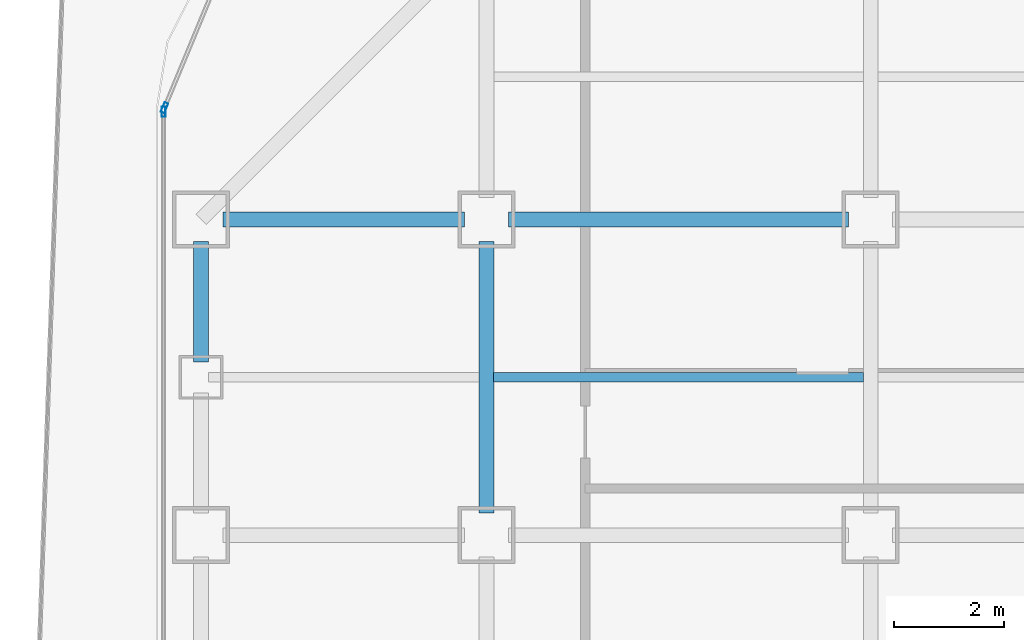
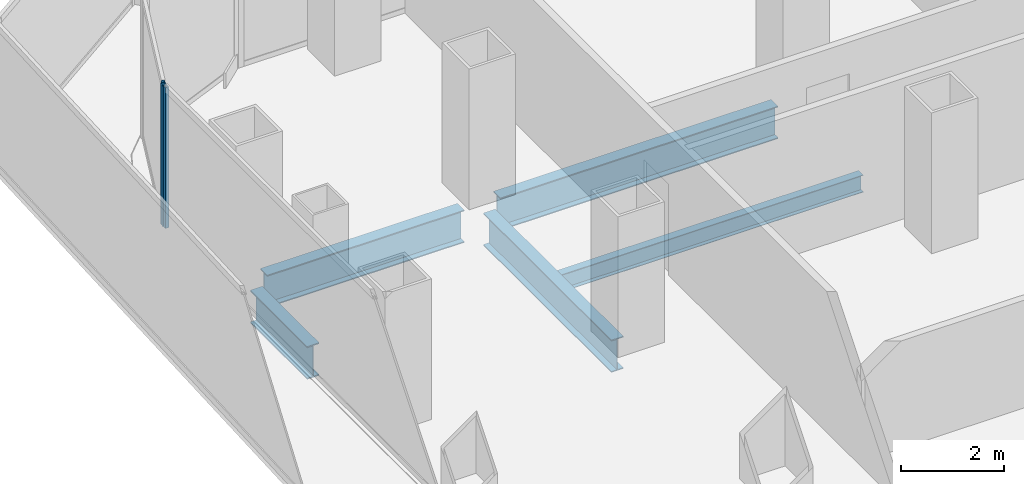
# One storey, part 10 of 22: 5 beams, 2 members, 2 elements without a shape of their own.
"""IFC4 building model written with IfcOpenShell, lengths in metres."""

import ifcopenshell
import ifcopenshell.guid

model = None  # the IFC model being written
_history = None  # IfcOwnerHistory: only IFC2X3 demands one
_inside = {}  # id of a spatial element -> (the spatial element, [elements in it])
_under = {}  # id of a project, library or spatial element -> (it, [spatial elements below it])
_declared = {}  # id of a project -> (the project, [libraries it declares])
_typed = {}  # id of a type object -> (the type object, [elements of that type])
_made_of = {}  # id of a material, layer set ... -> (it, [elements and type objects made of it])


def new_model(schema):
    """Start an empty IFC model of exactly this schema.

    Asked for "IFC4X3", IfcOpenShell would pick the latest addendum, in which some entities
    have other attributes; the version numbers below select the first issue.
    IFC2X3 requires an IfcOwnerHistory on every rooted entity: one is made here for all.
    """
    global model, _history
    if schema == "IFC4X3":
        model = ifcopenshell.file(schema_version=(4, 3, 0, 0))
    else:
        model = ifcopenshell.file(schema=schema)
    _inside.clear()
    _under.clear()
    _declared.clear()
    _typed.clear()
    _made_of.clear()
    _history = None
    if model.schema == "IFC2X3":
        org = make("IfcOrganization", Name="unknown")
        user = make(
            "IfcPersonAndOrganization",
            ThePerson=make("IfcPerson", FamilyName="unknown"),
            TheOrganization=org,
        )
        app = make(
            "IfcApplication",
            ApplicationDeveloper=org,
            Version="unknown",
            ApplicationFullName="unknown",
            ApplicationIdentifier="unknown",
        )
        _history = make(
            "IfcOwnerHistory",
            OwningUser=user,
            OwningApplication=app,
            ChangeAction="ADDED",
            CreationDate=0,
        )
    return model


def make(cls, **values):
    """One entity of the class cls with the attributes given. An attribute that is None is left unset."""
    return model.create_entity(
        cls, **{name: value for name, value in values.items() if value is not None}
    )


def rooted(cls, **values):
    """An entity with a GlobalId (a new one), such as an element, a storey or a relation."""
    return make(cls, GlobalId=ifcopenshell.guid.new(), OwnerHistory=_history, **values)


def si_unit(unit_type, name, prefix=None):
    """IfcSIUnit, for example si_unit("LENGTHUNIT", "METRE", prefix="MILLI")."""
    return make("IfcSIUnit", UnitType=unit_type, Prefix=prefix, Name=name)


def assignment(units):
    """IfcUnitAssignment: the units of a project."""
    return None if units is None else make("IfcUnitAssignment", Units=units)


def point(xyz):
    """IfcCartesianPoint."""
    return None if xyz is None else make("IfcCartesianPoint", Coordinates=xyz)


def direction(xyz):
    """IfcDirection."""
    return None if xyz is None else make("IfcDirection", DirectionRatios=xyz)


def frame(location, z_axis=None, x_axis=None):
    """IfcAxis2Placement3D, a coordinate frame: its origin and axes. An axis left out is left unset."""
    return make(
        "IfcAxis2Placement3D",
        Location=point(location),
        Axis=direction(z_axis),
        RefDirection=direction(x_axis),
    )


def frame_2d(location, x_axis=None):
    """IfcAxis2Placement2D, a coordinate frame in the plane: its origin and x axis."""
    return make(
        "IfcAxis2Placement2D", Location=point(location), RefDirection=direction(x_axis)
    )


def origin():
    """The frame at (0, 0, 0) with its axes left unset."""
    return frame((0.0, 0.0, 0.0))


def origin_2d():
    """The frame at (0, 0) in the plane with its x axis left unset."""
    return frame_2d((0.0, 0.0))


def place(relative_to, where):
    """IfcLocalPlacement: puts the frame where relative to a parent placement (None: the world)."""
    return make(
        "IfcLocalPlacement", PlacementRelTo=relative_to, RelativePlacement=where
    )


def context(
    kind, dimensions, precision=None, world=None, true_north=None, identifier=None
):
    """IfcGeometricRepresentationContext, for example the 3D "Model" context."""
    return make(
        "IfcGeometricRepresentationContext",
        ContextIdentifier=identifier,
        ContextType=kind,
        CoordinateSpaceDimension=dimensions,
        Precision=precision,
        WorldCoordinateSystem=world,
        TrueNorth=true_north,
    )


def subcontext(parent, identifier, kind, view, scale=None):
    """IfcGeometricRepresentationSubContext, for example "Body" below "Model"."""
    return make(
        "IfcGeometricRepresentationSubContext",
        ContextIdentifier=identifier,
        ContextType=kind,
        ParentContext=parent,
        TargetScale=scale,
        TargetView=view,
    )


def project(units=None, contexts=None):
    """IfcProject with its units and contexts."""
    return rooted(
        "IfcProject",
        Name="project",
        RepresentationContexts=contexts,
        UnitsInContext=assignment(units),
    )


def spatial(cls, under=None, at=None, **own):
    """A site, building, storey or space (cls), placed at a placement, below another one or the project."""
    s = rooted(cls, ObjectPlacement=at, **own)
    if under is not None:
        _under.setdefault(under.id(), (under, []))[1].append(s)
    return s


def profile(cls, at=None, kind="AREA", **sizes):
    """A parametric profile (cls). Its sizes go by their IFC names, for example OverallWidth=200.0."""
    return make(cls, ProfileType=kind, Position=at, **sizes)


def hollow_rectangle(**sizes):
    """IfcRectangleHollowProfileDef."""
    return profile("IfcRectangleHollowProfileDef", **sizes)


def i_section(**sizes):
    """IfcIShapeProfileDef."""
    return profile("IfcIShapeProfileDef", **sizes)


def extrude(swept, where, along, depth):
    """IfcExtrudedAreaSolid: the profile swept, set in the frame where, extruded along a direction by depth."""
    return make(
        "IfcExtrudedAreaSolid",
        SweptArea=swept,
        Position=where,
        ExtrudedDirection=direction(along),
        Depth=depth,
    )


def shape(context_of_items, identifier, shape_type, items):
    """IfcShapeRepresentation: the items that make up one representation, for example the "Body"."""
    return make(
        "IfcShapeRepresentation",
        ContextOfItems=context_of_items,
        RepresentationIdentifier=identifier,
        RepresentationType=shape_type,
        Items=items,
    )


def source(mapping_origin, context_of_items, identifier, shape_type, items):
    """IfcRepresentationMap: a shape defined once, which mapped items show again and again."""
    return make(
        "IfcRepresentationMap",
        MappingOrigin=mapping_origin,
        MappedRepresentation=shape(context_of_items, identifier, shape_type, items),
    )


def transform(
    local_origin,
    x_axis=None,
    y_axis=None,
    z_axis=None,
    scale=None,
    scale2=None,
    scale3=None,
    uniform=True,
):
    """IfcCartesianTransformationOperator3D, or its non-uniform kind. x_axis, y_axis, z_axis: its Axis1, 2, 3."""
    if uniform:
        return make(
            "IfcCartesianTransformationOperator3D",
            Axis1=direction(x_axis),
            Axis2=direction(y_axis),
            LocalOrigin=point(local_origin),
            Scale=scale,
            Axis3=direction(z_axis),
        )
    return make(
        "IfcCartesianTransformationOperator3DnonUniform",
        Axis1=direction(x_axis),
        Axis2=direction(y_axis),
        LocalOrigin=point(local_origin),
        Scale=scale,
        Axis3=direction(z_axis),
        Scale2=scale2,
        Scale3=scale3,
    )


def mapped(mapping_source, mapping_target):
    """IfcMappedItem: shows the shape of a source again, moved by a transform."""
    return make(
        "IfcMappedItem", MappingSource=mapping_source, MappingTarget=mapping_target
    )


def material(Name=None, Category=None):
    """IfcMaterial."""
    return make("IfcMaterial", Name=Name, Category=Category)


def layer(
    of_material, thickness, ventilated=None, Name=None, Category=None, Priority=None
):
    """IfcMaterialLayer: one layer of a wall or slab, of a material (None: an air gap)."""
    return make(
        "IfcMaterialLayer",
        Material=of_material,
        LayerThickness=thickness,
        IsVentilated=ventilated,
        Name=Name,
        Category=Category,
        Priority=Priority,
    )


def layer_set(layers, Name=None):
    """IfcMaterialLayerSet."""
    return make("IfcMaterialLayerSet", MaterialLayers=layers, LayerSetName=Name)


def material_profile(
    of_material, cross_section, Name=None, Category=None, Priority=None
):
    """IfcMaterialProfile: a cross section and its material."""
    return make(
        "IfcMaterialProfile",
        Name=Name,
        Material=of_material,
        Profile=cross_section,
        Priority=Priority,
        Category=Category,
    )


def profile_set(profiles, Name=None, composite=None):
    """IfcMaterialProfileSet."""
    return make(
        "IfcMaterialProfileSet",
        Name=Name,
        MaterialProfiles=profiles,
        CompositeProfile=composite,
    )


def made_of(thing, what):
    """Note that an element or type object is made of a material, layer set ...; save() writes the relation."""
    if what is not None:
        _made_of.setdefault(what.id(), (what, []))[1].append(thing)
    return thing


def type_object(cls, material=None, **own):
    """A type object (cls), such as IfcWallType, which elements share."""
    return made_of(rooted(cls, **own), material)


def element(
    cls,
    number,
    at=None,
    inside=None,
    cuts=None,
    type_object=None,
    material=None,
    context=None,
    identifier="Body",
    shape_type=None,
    held_by="IfcProductDefinitionShape",
    body=None,
    shapes=None,
    **own,
):
    """One element of the class cls, such as IfcWall. Its Tag is "e" and its number.

    at: its placement. inside: the storey or other place that contains it. cuts: it is an
    opening in that element (IfcRelVoidsElement). A single representation is given by context,
    identifier, shape_type and body (its items); several are given by shapes. held_by: the class
    of the entity that holds the representations. save() writes the other relations.
    """
    e = rooted(cls, Tag="e%d" % number, ObjectPlacement=at, **own)
    if body is not None:
        shapes = [shape(context, identifier, shape_type, body)]
    if shapes is not None:
        e.Representation = make(held_by, Representations=shapes)
    if inside is not None:
        _inside.setdefault(inside.id(), (inside, []))[1].append(e)
    if cuts is not None:
        rooted(
            "IfcRelVoidsElement", RelatingBuildingElement=cuts, RelatedOpeningElement=e
        )
    if type_object is not None:
        _typed.setdefault(type_object.id(), (type_object, []))[1].append(e)
    return made_of(e, material)


def aggregate(whole, parts):
    """IfcRelAggregates: a whole, such as a stair, and the parts it consists of."""
    return rooted("IfcRelAggregates", RelatingObject=whole, RelatedObjects=parts)


def save(model, path):
    """Write the relations noted so far, then the file.

    IfcRelAggregates (storeys below a building ...), IfcRelContainedInSpatialStructure (elements
    in a storey), IfcRelDefinesByType, IfcRelAssociatesMaterial and IfcRelDeclares: one each for
    every whole, place, type object, material and project.
    """
    for whole, parts in _under.values():
        aggregate(whole, parts)
    for where, things in _inside.values():
        rooted(
            "IfcRelContainedInSpatialStructure",
            RelatedElements=things,
            RelatingStructure=where,
        )
    for kind, things in _typed.values():
        rooted("IfcRelDefinesByType", RelatedObjects=things, RelatingType=kind)
    for what, things in _made_of.values():
        rooted("IfcRelAssociatesMaterial", RelatedObjects=things, RelatingMaterial=what)
    for by, libraries in _declared.values():
        rooted("IfcRelDeclares", RelatingContext=by, RelatedDefinitions=libraries)
    model.write(path)


model = new_model("IFC4")

# Units and contexts
model_context = context("Model", 3, precision=1e-05, world=origin(), true_north=direction((0.0, 1.0)))
body_context = subcontext(model_context, "Body", "Model", "MODEL_VIEW")
ifc_project = project(units=[si_unit("LENGTHUNIT", "METRE"), si_unit("AREAUNIT", "SQUARE_METRE"), si_unit("VOLUMEUNIT", "CUBIC_METRE"), si_unit("PLANEANGLEUNIT", "RADIAN"), si_unit("MASSUNIT", "GRAM", prefix="KILO")], contexts=[model_context])

# Site, building, storey
site_placement = place(None, origin())
site = spatial("IfcSite", under=ifc_project, at=site_placement, CompositionType="ELEMENT")
building_placement = place(site_placement, origin())
building = spatial("IfcBuilding", under=site, at=building_placement, Name="Kolveth Station Tower", CompositionType="ELEMENT")
storey_placement = place(building_placement, frame((0.0, 0.0, 65.699951171875)))
storey = spatial("IfcBuildingStorey", under=building, at=storey_placement, Name="L17", CompositionType="ELEMENT", Elevation=65.699951171875)

# Beams
ifc_material_1 = material(Name="Steel S355", Category="steel")
ifc_material_profile_1 = material_profile(ifc_material_1, i_section(OverallWidth=0.26904296875, OverallDepth=0.77490234375, WebThickness=0.01708984375, FlangeThickness=0.0283203125, at=origin_2d()), Name="W760x220")
ifc_profile_set_1 = profile_set([ifc_material_profile_1], Name="Steel S355")
beam_type_1 = type_object("IfcBeamType", Name="Beam_SP1", PredefinedType="SPANDREL", material=ifc_profile_set_1)
shared_shape_1 = source(origin(), body_context, "Body", "SweptSolid", [
    extrude(i_section(OverallWidth=0.26904296875, OverallDepth=0.77490234375, WebThickness=0.01708984375, FlangeThickness=0.0283203125, at=origin_2d()), origin(), (0.0, 0.0, 1.0), 2.2001953125),
])
beam_1_placement = place(storey_placement, frame((0.800048828125, 31.89990234375, -0.66748046875), z_axis=(0.0, 1.0, 0.0), x_axis=(-1.0, 0.0, 0.0)))
element("IfcBeam", 1, at=beam_1_placement, inside=storey, type_object=beam_type_1, Name="L17 Perimeter Spandrel BM-L17-PW-10", PredefinedType="SPANDREL", context=body_context, shape_type="MappedRepresentation", body=[
    mapped(shared_shape_1, transform((0.0, 0.0, 0.0), x_axis=(1.0, 0.0, 0.0), y_axis=(0.0, 1.0, 0.0), z_axis=(0.0, 0.0, 1.0), scale=1.0)),
])
ifc_material_profile_2 = material_profile(ifc_material_1, i_section(OverallWidth=0.26708984375, OverallDepth=0.76611328125, WebThickness=0.014892578125, FlangeThickness=0.023681640625, at=origin_2d()), Name="W760x185")
ifc_profile_set_2 = profile_set([ifc_material_profile_2], Name="Steel S355")
beam_type_2 = type_object("IfcBeamType", Name="Beam_B3", PredefinedType="BEAM", material=ifc_profile_set_2)
shared_shape_2 = source(origin(), body_context, "Body", "SweptSolid", [
    extrude(i_section(OverallWidth=0.26708984375, OverallDepth=0.76611328125, WebThickness=0.014892578125, FlangeThickness=0.023681640625, at=origin_2d()), origin(), (0.0, 0.0, 1.0), 4.400146484375),
])
beam_2_placement = place(storey_placement, frame((1.199951171875, 34.5, -0.662841796875), z_axis=(1.0, 0.0, 0.0), x_axis=(0.0, 1.0, 0.0)))
element("IfcBeam", 2, at=beam_2_placement, inside=storey, type_object=beam_type_2, Name="L17 Primary Girder BM-L17-GY345-1", PredefinedType="BEAM", context=body_context, shape_type="MappedRepresentation", body=[
    mapped(shared_shape_2, transform((0.0, 0.0, 0.0), x_axis=(1.0, 0.0, 0.0), y_axis=(0.0, 1.0, 0.0), z_axis=(0.0, 0.0, 1.0), scale=1.0)),
])
shared_shape_3 = source(origin(), body_context, "Body", "SweptSolid", [
    extrude(i_section(OverallWidth=0.26708984375, OverallDepth=0.76611328125, WebThickness=0.014892578125, FlangeThickness=0.023681640625, at=origin_2d()), origin(), (0.0, 0.0, 1.0), 6.2001953125),
])
beam_3_placement = place(storey_placement, frame((6.39990234375, 34.5, -0.662841796875), z_axis=(1.0, 0.0, 0.0), x_axis=(0.0, 1.0, 0.0)))
element("IfcBeam", 3, at=beam_3_placement, inside=storey, type_object=beam_type_2, Name="L17 Primary Girder BM-L17-GY345-2", PredefinedType="BEAM", context=body_context, shape_type="MappedRepresentation", body=[
    mapped(shared_shape_3, transform((0.0, 0.0, 0.0), x_axis=(1.0, 0.0, 0.0), y_axis=(0.0, 1.0, 0.0), z_axis=(0.0, 0.0, 1.0), scale=1.0)),
])
shared_shape_4 = source(origin(), body_context, "Body", "SweptSolid", [
    extrude(i_section(OverallWidth=0.26708984375, OverallDepth=0.76611328125, WebThickness=0.014892578125, FlangeThickness=0.023681640625, at=origin_2d()), origin(), (0.0, 0.0, 1.0), 4.9501953125),
])
beam_4_placement = place(storey_placement, frame((6.0, 29.14990234375, -0.662841796875), z_axis=(0.0, 1.0, 0.0), x_axis=(-1.0, 0.0, 0.0)))
element("IfcBeam", 4, at=beam_4_placement, inside=storey, type_object=beam_type_2, Name="L17 Primary Girder BM-L17-GX60-6", PredefinedType="BEAM", context=body_context, shape_type="MappedRepresentation", body=[
    mapped(shared_shape_4, transform((0.0, 0.0, 0.0), x_axis=(1.0, 0.0, 0.0), y_axis=(0.0, 1.0, 0.0), z_axis=(0.0, 0.0, 1.0), scale=1.0)),
])
ifc_material_profile_3 = material_profile(ifc_material_1, i_section(OverallWidth=0.177978515625, OverallDepth=0.406982421875, WebThickness=0.0078125, FlangeThickness=0.0126953125, at=origin_2d()), Name="W410x60")
ifc_profile_set_3 = profile_set([ifc_material_profile_3], Name="Steel S355")
beam_type_3 = type_object("IfcBeamType", Name="Beam_J1", PredefinedType="JOIST", material=ifc_profile_set_3)
shared_shape_5 = source(origin(), body_context, "Body", "SweptSolid", [
    extrude(i_section(OverallWidth=0.177978515625, OverallDepth=0.406982421875, WebThickness=0.0078125, FlangeThickness=0.0126953125, at=origin_2d()), origin(), (0.0, 0.0, 1.0), 6.73681640625),
])
beam_5_placement = place(storey_placement, frame((6.131591796875, 31.625, -0.4833984375), z_axis=(1.0, 0.0, 0.0), x_axis=(0.0, 1.0, 0.0)))
element("IfcBeam", 5, at=beam_5_placement, inside=storey, type_object=beam_type_3, Name="L17 Secondary Joist JST-L17-2-6", PredefinedType="JOIST", context=body_context, shape_type="MappedRepresentation", body=[
    mapped(shared_shape_5, transform((0.0, 0.0, 0.0), x_axis=(1.0, 0.0, 0.0), y_axis=(0.0, 1.0, 0.0), z_axis=(0.0, 0.0, 1.0), scale=1.0)),
])

# Curtain wall, member
ifc_material_2 = material(Name="Aluminium 6063-T6 and low-E dark glass", Category="aluminium")
ifc_layer = layer(ifc_material_2, 0.179931640625)
ifc_layer_set = layer_set([ifc_layer], Name="Aluminium 6063-T6 and low-E dark glass")
curtain_wall_type = type_object("IfcCurtainWallType", Name="CurtainWall_CW-Z1", PredefinedType="NOTDEFINED", material=ifc_layer_set)
curtain_wall_1_placement = place(storey_placement, origin())
curtain_wall_1 = element("IfcCurtainWall", 6, at=curtain_wall_1_placement, inside=storey, type_object=curtain_wall_type, Name="L17 Inner Thermal Curtain Wall 8", PredefinedType="NOTDEFINED")
ifc_material_3 = material(Name="Black anodized aluminium 6063-T6", Category="aluminium")
ifc_material_profile_4 = material_profile(ifc_material_3, hollow_rectangle(XDim=0.074951171875, YDim=0.18994140625, WallThickness=0.0048828125, at=origin_2d()), Name="ALU-75x190x5")
ifc_profile_set_4 = profile_set([ifc_material_profile_4], Name="Black anodized aluminium 6063-T6")
member_type = type_object("IfcMemberType", Name="Mullion_ML1", PredefinedType="MULLION", material=ifc_profile_set_4)
shared_shape_6 = source(origin(), body_context, "Body", "SweptSolid", [
    extrude(hollow_rectangle(XDim=0.074951171875, YDim=0.18994140625, WallThickness=0.0048828125, at=origin_2d()), origin(), (0.0, 0.0, 1.0), 3.320068359375),
])
member_1_placement = place(storey_placement, frame((0.13427734375, 36.53466796875, 0.0), z_axis=(0.0, 0.0, 1.0), x_axis=(0.923883857728, -0.382672990201, 0.0)))
member_1 = element("IfcMember", 7, at=member_1_placement, type_object=member_type, Name="CW-Z1 mullion 2", PredefinedType="MULLION", context=body_context, shape_type="MappedRepresentation", body=[
    mapped(shared_shape_6, transform((0.0, 0.0, 0.0), x_axis=(1.0, 0.0, 0.0), y_axis=(0.0, 1.0, 0.0), z_axis=(0.0, 0.0, 1.0), scale=1.0)),
])
aggregate(curtain_wall_1, [member_1])

curtain_wall_2_placement = place(storey_placement, origin())
curtain_wall_2 = element("IfcCurtainWall", 8, at=curtain_wall_2_placement, inside=storey, type_object=curtain_wall_type, Name="L17 Inner Thermal Curtain Wall 9", PredefinedType="NOTDEFINED")
member_2_placement = place(storey_placement, frame((0.1201171875, 36.46240234375, 0.0), z_axis=(0.0, 0.0, 1.0), x_axis=(1.0, 0.0, 0.0)))
member_2 = element("IfcMember", 9, at=member_2_placement, type_object=member_type, Name="CW-Z1 mullion 1", PredefinedType="MULLION", context=body_context, shape_type="MappedRepresentation", body=[
    mapped(shared_shape_6, transform((0.0, 0.0, 0.0), x_axis=(1.0, 0.0, 0.0), y_axis=(0.0, 1.0, 0.0), z_axis=(0.0, 0.0, 1.0), scale=1.0)),
])
aggregate(curtain_wall_2, [member_2])

save(model, "model.ifc")
